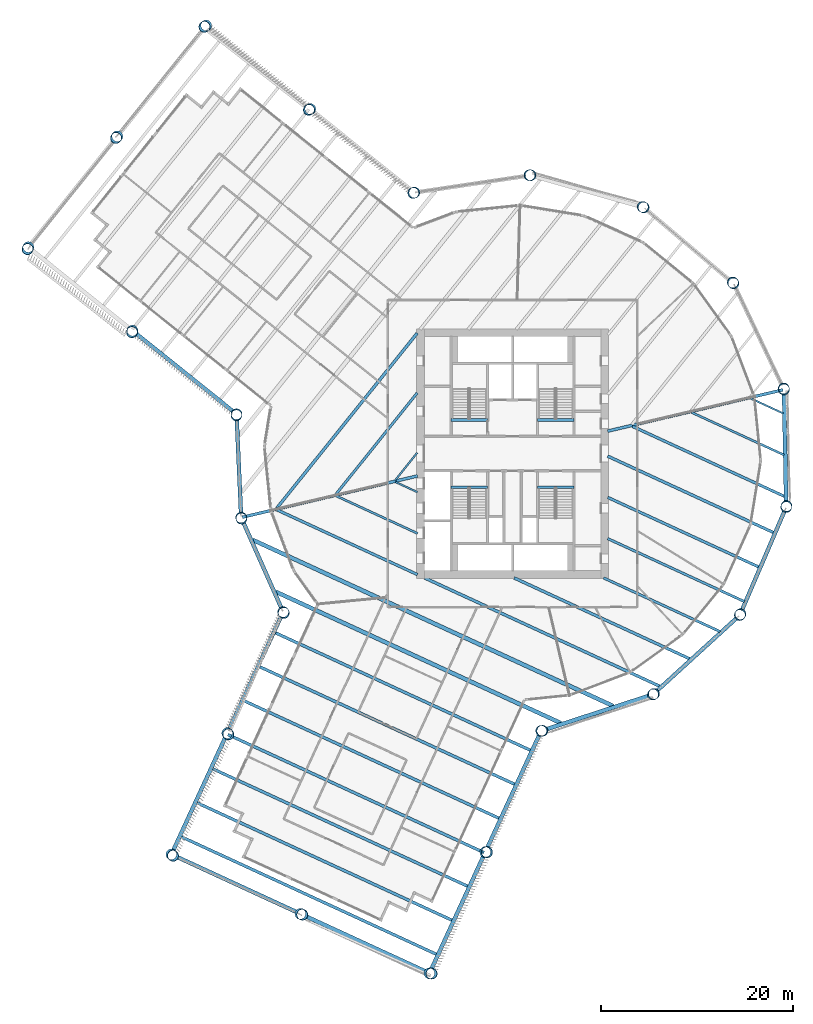
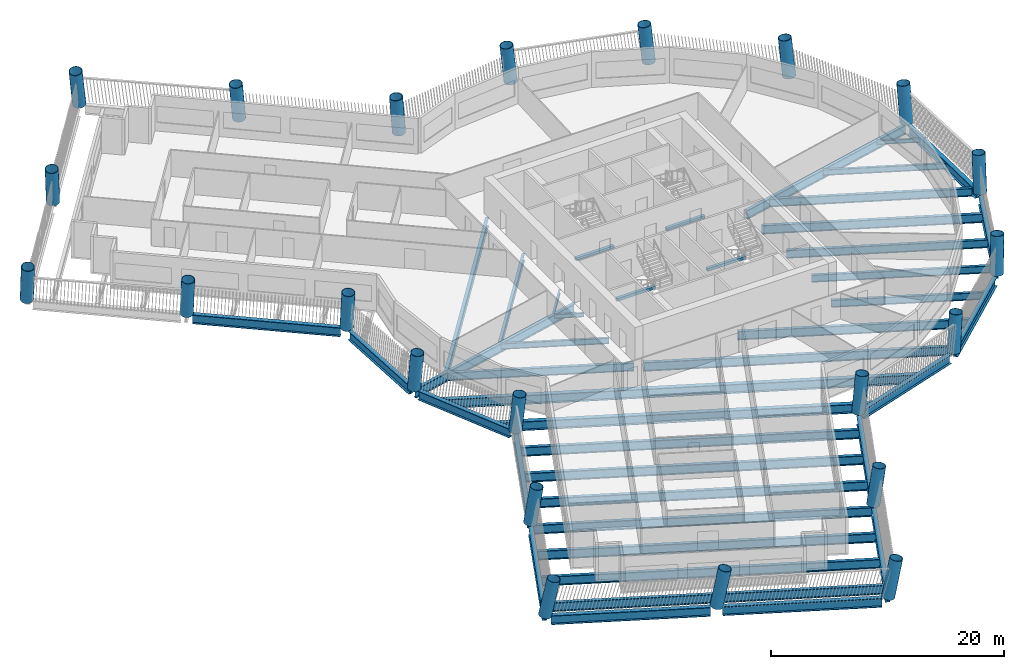
# One storey, part 1 of 16: 43 beams, 22 columns.
"""IFC4 building model written with IfcOpenShell, lengths in metres."""

import ifcopenshell
import ifcopenshell.guid

model = None  # the IFC model being written
_history = None  # IfcOwnerHistory: only IFC2X3 demands one
_inside = {}  # id of a spatial element -> (the spatial element, [elements in it])
_under = {}  # id of a project, library or spatial element -> (it, [spatial elements below it])
_declared = {}  # id of a project -> (the project, [libraries it declares])
_typed = {}  # id of a type object -> (the type object, [elements of that type])
_made_of = {}  # id of a material, layer set ... -> (it, [elements and type objects made of it])


def new_model(schema):
    """Start an empty IFC model of exactly this schema.

    Asked for "IFC4X3", IfcOpenShell would pick the latest addendum, in which some entities
    have other attributes; the version numbers below select the first issue.
    IFC2X3 requires an IfcOwnerHistory on every rooted entity: one is made here for all.
    """
    global model, _history
    if schema == "IFC4X3":
        model = ifcopenshell.file(schema_version=(4, 3, 0, 0))
    else:
        model = ifcopenshell.file(schema=schema)
    _inside.clear()
    _under.clear()
    _declared.clear()
    _typed.clear()
    _made_of.clear()
    _history = None
    if model.schema == "IFC2X3":
        org = make("IfcOrganization", Name="unknown")
        user = make(
            "IfcPersonAndOrganization",
            ThePerson=make("IfcPerson", FamilyName="unknown"),
            TheOrganization=org,
        )
        app = make(
            "IfcApplication",
            ApplicationDeveloper=org,
            Version="unknown",
            ApplicationFullName="unknown",
            ApplicationIdentifier="unknown",
        )
        _history = make(
            "IfcOwnerHistory",
            OwningUser=user,
            OwningApplication=app,
            ChangeAction="ADDED",
            CreationDate=0,
        )
    return model


def make(cls, **values):
    """One entity of the class cls with the attributes given. An attribute that is None is left unset."""
    return model.create_entity(
        cls, **{name: value for name, value in values.items() if value is not None}
    )


def rooted(cls, **values):
    """An entity with a GlobalId (a new one), such as an element, a storey or a relation."""
    return make(cls, GlobalId=ifcopenshell.guid.new(), OwnerHistory=_history, **values)


def si_unit(unit_type, name, prefix=None):
    """IfcSIUnit, for example si_unit("LENGTHUNIT", "METRE", prefix="MILLI")."""
    return make("IfcSIUnit", UnitType=unit_type, Prefix=prefix, Name=name)


def assignment(units):
    """IfcUnitAssignment: the units of a project."""
    return None if units is None else make("IfcUnitAssignment", Units=units)


def point(xyz):
    """IfcCartesianPoint."""
    return None if xyz is None else make("IfcCartesianPoint", Coordinates=xyz)


def direction(xyz):
    """IfcDirection."""
    return None if xyz is None else make("IfcDirection", DirectionRatios=xyz)


def frame(location, z_axis=None, x_axis=None):
    """IfcAxis2Placement3D, a coordinate frame: its origin and axes. An axis left out is left unset."""
    return make(
        "IfcAxis2Placement3D",
        Location=point(location),
        Axis=direction(z_axis),
        RefDirection=direction(x_axis),
    )


def frame_2d(location, x_axis=None):
    """IfcAxis2Placement2D, a coordinate frame in the plane: its origin and x axis."""
    return make(
        "IfcAxis2Placement2D", Location=point(location), RefDirection=direction(x_axis)
    )


def origin():
    """The frame at (0, 0, 0) with its axes left unset."""
    return frame((0.0, 0.0, 0.0))


def origin_2d():
    """The frame at (0, 0) in the plane with its x axis left unset."""
    return frame_2d((0.0, 0.0))


def place(relative_to, where):
    """IfcLocalPlacement: puts the frame where relative to a parent placement (None: the world)."""
    return make(
        "IfcLocalPlacement", PlacementRelTo=relative_to, RelativePlacement=where
    )


def context(
    kind, dimensions, precision=None, world=None, true_north=None, identifier=None
):
    """IfcGeometricRepresentationContext, for example the 3D "Model" context."""
    return make(
        "IfcGeometricRepresentationContext",
        ContextIdentifier=identifier,
        ContextType=kind,
        CoordinateSpaceDimension=dimensions,
        Precision=precision,
        WorldCoordinateSystem=world,
        TrueNorth=true_north,
    )


def subcontext(parent, identifier, kind, view, scale=None):
    """IfcGeometricRepresentationSubContext, for example "Body" below "Model"."""
    return make(
        "IfcGeometricRepresentationSubContext",
        ContextIdentifier=identifier,
        ContextType=kind,
        ParentContext=parent,
        TargetScale=scale,
        TargetView=view,
    )


def project(units=None, contexts=None):
    """IfcProject with its units and contexts."""
    return rooted(
        "IfcProject",
        Name="project",
        RepresentationContexts=contexts,
        UnitsInContext=assignment(units),
    )


def spatial(cls, under=None, at=None, **own):
    """A site, building, storey or space (cls), placed at a placement, below another one or the project."""
    s = rooted(cls, ObjectPlacement=at, **own)
    if under is not None:
        _under.setdefault(under.id(), (under, []))[1].append(s)
    return s


def profile(cls, at=None, kind="AREA", **sizes):
    """A parametric profile (cls). Its sizes go by their IFC names, for example OverallWidth=200.0."""
    return make(cls, ProfileType=kind, Position=at, **sizes)


def rectangle(**sizes):
    """IfcRectangleProfileDef."""
    return profile("IfcRectangleProfileDef", **sizes)


def hollow_circle(**sizes):
    """IfcCircleHollowProfileDef."""
    return profile("IfcCircleHollowProfileDef", **sizes)


def i_section(**sizes):
    """IfcIShapeProfileDef."""
    return profile("IfcIShapeProfileDef", **sizes)


def extrude(swept, where, along, depth):
    """IfcExtrudedAreaSolid: the profile swept, set in the frame where, extruded along a direction by depth."""
    return make(
        "IfcExtrudedAreaSolid",
        SweptArea=swept,
        Position=where,
        ExtrudedDirection=direction(along),
        Depth=depth,
    )


def shape(context_of_items, identifier, shape_type, items):
    """IfcShapeRepresentation: the items that make up one representation, for example the "Body"."""
    return make(
        "IfcShapeRepresentation",
        ContextOfItems=context_of_items,
        RepresentationIdentifier=identifier,
        RepresentationType=shape_type,
        Items=items,
    )


def material(Name=None, Category=None):
    """IfcMaterial."""
    return make("IfcMaterial", Name=Name, Category=Category)


def material_profile(
    of_material, cross_section, Name=None, Category=None, Priority=None
):
    """IfcMaterialProfile: a cross section and its material."""
    return make(
        "IfcMaterialProfile",
        Name=Name,
        Material=of_material,
        Profile=cross_section,
        Priority=Priority,
        Category=Category,
    )


def profile_set(profiles, Name=None, composite=None):
    """IfcMaterialProfileSet."""
    return make(
        "IfcMaterialProfileSet",
        Name=Name,
        MaterialProfiles=profiles,
        CompositeProfile=composite,
    )


def made_of(thing, what):
    """Note that an element or type object is made of a material, layer set ...; save() writes the relation."""
    if what is not None:
        _made_of.setdefault(what.id(), (what, []))[1].append(thing)
    return thing


def type_object(cls, material=None, **own):
    """A type object (cls), such as IfcWallType, which elements share."""
    return made_of(rooted(cls, **own), material)


def element(
    cls,
    number,
    at=None,
    inside=None,
    cuts=None,
    type_object=None,
    material=None,
    context=None,
    identifier="Body",
    shape_type=None,
    held_by="IfcProductDefinitionShape",
    body=None,
    shapes=None,
    **own,
):
    """One element of the class cls, such as IfcWall. Its Tag is "e" and its number.

    at: its placement. inside: the storey or other place that contains it. cuts: it is an
    opening in that element (IfcRelVoidsElement). A single representation is given by context,
    identifier, shape_type and body (its items); several are given by shapes. held_by: the class
    of the entity that holds the representations. save() writes the other relations.
    """
    e = rooted(cls, Tag="e%d" % number, ObjectPlacement=at, **own)
    if body is not None:
        shapes = [shape(context, identifier, shape_type, body)]
    if shapes is not None:
        e.Representation = make(held_by, Representations=shapes)
    if inside is not None:
        _inside.setdefault(inside.id(), (inside, []))[1].append(e)
    if cuts is not None:
        rooted(
            "IfcRelVoidsElement", RelatingBuildingElement=cuts, RelatedOpeningElement=e
        )
    if type_object is not None:
        _typed.setdefault(type_object.id(), (type_object, []))[1].append(e)
    return made_of(e, material)


def aggregate(whole, parts):
    """IfcRelAggregates: a whole, such as a stair, and the parts it consists of."""
    return rooted("IfcRelAggregates", RelatingObject=whole, RelatedObjects=parts)


def save(model, path):
    """Write the relations noted so far, then the file.

    IfcRelAggregates (storeys below a building ...), IfcRelContainedInSpatialStructure (elements
    in a storey), IfcRelDefinesByType, IfcRelAssociatesMaterial and IfcRelDeclares: one each for
    every whole, place, type object, material and project.
    """
    for whole, parts in _under.values():
        aggregate(whole, parts)
    for where, things in _inside.values():
        rooted(
            "IfcRelContainedInSpatialStructure",
            RelatedElements=things,
            RelatingStructure=where,
        )
    for kind, things in _typed.values():
        rooted("IfcRelDefinesByType", RelatedObjects=things, RelatingType=kind)
    for what, things in _made_of.values():
        rooted("IfcRelAssociatesMaterial", RelatedObjects=things, RelatingMaterial=what)
    for by, libraries in _declared.values():
        rooted("IfcRelDeclares", RelatingContext=by, RelatedDefinitions=libraries)
    model.write(path)


model = new_model("IFC4")

# Units and contexts
model_context = context("Model", 3, precision=1e-05, world=origin(), true_north=direction((0.0, 1.0)))
body_context = subcontext(model_context, "Body", "Model", "MODEL_VIEW")
ifc_project = project(units=[si_unit("LENGTHUNIT", "METRE"), si_unit("AREAUNIT", "SQUARE_METRE"), si_unit("VOLUMEUNIT", "CUBIC_METRE"), si_unit("PLANEANGLEUNIT", "RADIAN"), si_unit("MASSUNIT", "GRAM", prefix="KILO")], contexts=[model_context])

# Site, building, storey
site_placement = place(None, origin())
site = spatial("IfcSite", under=ifc_project, at=site_placement, CompositionType="ELEMENT")
building_placement = place(site_placement, origin())
building = spatial("IfcBuilding", under=site, at=building_placement, Name="Tarsis Ring Headquarters", CompositionType="ELEMENT")
storey_placement = place(building_placement, frame((0.0, 0.0, 112.300048828125)))
storey = spatial("IfcBuildingStorey", under=building, at=storey_placement, Name="L25", CompositionType="ELEMENT", Elevation=112.300048828125)

# Columns
ifc_material_1 = material(Name="Structural steel S355", Category="steel")
ifc_material_profile_1 = material_profile(ifc_material_1, hollow_circle(Radius=0.584228515625, WallThickness=0.044921875, at=origin_2d()), Name="CHS 1168x45")
ifc_profile_set_1 = profile_set([ifc_material_profile_1], Name="Structural steel S355")
column_type = type_object("IfcColumnType", Name="XC Exo column CHS 1168x45", PredefinedType="COLUMN", material=ifc_profile_set_1)
for number, where, z_axis, x_axis, name in (
    (1, (-28.27392578125, -6.662841796875, 0.000732421875), (0.023800718957, -0.098068930992, 0.994894974634), (0.971790101107, 0.235847407003, 0.0), "Exo column XC3 F1"),
    (2, (-23.902099609375, -16.507568359375, 0.000732421875), (0.057882087194, -0.082617489364, 0.994898997101), (0.818999717672, 0.573793919847, 0.0), "Exo column XC3 AK"),
):
    element("IfcColumn", number, at=place(storey_placement, frame(where, z_axis=z_axis, x_axis=x_axis)), inside=storey, type_object=column_type, Name=name, PredefinedType="COLUMN", context=body_context, shape_type="SweptSolid", body=[
        extrude(hollow_circle(Radius=0.584228515625, WallThickness=0.044921875, at=origin_2d()), origin(), (0.0, 0.0, 1.0), 3.91845703125),
    ])
column_1_placement = place(storey_placement, frame((-29.72021484375, -29.1337890625, 0.0009765625), z_axis=(0.10134078466, -0.102022588104, 0.989606708183), x_axis=(0.709473465823, 0.704732148616, 0.0)))
element("IfcColumn", 3, at=column_1_placement, inside=storey, type_object=column_type, Name="Exo column XC3 AI1", PredefinedType="COLUMN", context=body_context, shape_type="SweptSolid", body=[
    extrude(hollow_circle(Radius=0.584228515625, WallThickness=0.044921875, at=origin_2d()), origin(), (0.0, 0.0, 1.0), 3.93896484375),
])
column_2_placement = place(storey_placement, frame((-35.538330078125, -41.76025390625, 0.001220703125), z_axis=(0.144027624068, -0.12083308572, 0.982168727307), x_axis=(0.64272380487, 0.766097977189, 0.0)))
element("IfcColumn", 4, at=column_2_placement, inside=storey, type_object=column_type, Name="Exo column XC3 AT1", PredefinedType="COLUMN", context=body_context, shape_type="SweptSolid", body=[
    extrude(hollow_circle(Radius=0.584228515625, WallThickness=0.044921875, at=origin_2d()), origin(), (0.0, 0.0, 1.0), 3.96826171875),
])
column_3_placement = place(storey_placement, frame((-22.0966796875, -47.953857421875, 0.001220703125), z_axis=(0.165157979258, -0.074724591138, 0.983432294246), x_axis=(0.412214885912, 0.911086652209, 0.0)))
element("IfcColumn", 5, at=column_3_placement, inside=storey, type_object=column_type, Name="Exo column XC3 AT2", PredefinedType="COLUMN", context=body_context, shape_type="SweptSolid", body=[
    extrude(hollow_circle(Radius=0.584228515625, WallThickness=0.044921875, at=origin_2d()), origin(), (0.0, 0.0, 1.0), 3.963134765625),
])
column_4_placement = place(storey_placement, frame((-8.655029296875, -54.147705078125, 0.001220703125), z_axis=(0.185863114789, -0.028423952013, 0.982164437105), x_axis=(0.151171948587, 0.988507481995, 0.0)))
element("IfcColumn", 6, at=column_4_placement, inside=storey, type_object=column_type, Name="Exo column XC3 AT3", PredefinedType="COLUMN", context=body_context, shape_type="SweptSolid", body=[
    extrude(hollow_circle(Radius=0.584228515625, WallThickness=0.044921875, at=origin_2d()), origin(), (0.0, 0.0, 1.0), 3.96826171875),
])
column_5_placement = place(storey_placement, frame((-2.8369140625, -41.521484375, 0.0009765625), z_axis=(0.143489502719, -0.008801515934, 0.989612699962), x_axis=(0.061224023793, 0.998124049861, 0.0)))
element("IfcColumn", 7, at=column_5_placement, inside=storey, type_object=column_type, Name="Exo column XC3 AO1", PredefinedType="COLUMN", context=body_context, shape_type="SweptSolid", body=[
    extrude(hollow_circle(Radius=0.584228515625, WallThickness=0.044921875, at=origin_2d()), origin(), (0.0, 0.0, 1.0), 3.93896484375),
])
for number, where, z_axis, x_axis, name in (
    (8, (2.98095703125, -28.895263671875, 0.000732421875), (0.100311855917, 0.011090379101, 0.994894233099), (-0.109889440609, 0.993943816744, 0.0), "Exo column XC3 AJ"),
    (9, (14.626220703125, -25.09765625, 0.000732421875), (0.086853854814, 0.051402030288, 0.994894084406), (-0.50931156322, 0.860582205004, 0.0), "Exo column XC3 R1"),
    (10, (23.6708984375, -16.83740234375, 0.000732421875), (0.057944482069, 0.082555310475, 0.99490052654), (-0.818505731091, 0.5744983622, 0.0), "Exo column XC3 R2"),
    (11, (28.5068359375, -5.583740234375, 0.000732421875), (0.018691740981, 0.099128533003, 0.994899066621), (-0.982682879725, 0.185295326158, 0.0), "Exo column XC3 R3"),
    (12, (28.27392578125, 6.662841796875, 0.000732421875), (-0.023800718957, 0.098068930992, 0.994894974634), (-0.971790101107, -0.235847407003, 0.0), "Exo column XC3 R4"),
    (13, (23.013916015625, 17.724853515625, 0.000732421875), (-0.06205671123, 0.079502373022, 0.994901169602), (-0.78828654941, -0.615308309727, 0.0), "Exo column XC3 R5"),
    (14, (13.662109375, 25.63525390625, 0.000732421875), (-0.089346421478, 0.046853911403, 0.994897948513), (-0.464422328585, -0.885613855307, 0.0), "Exo column XC3 R6"),
    (15, (1.880859375, 28.987548828125, 0.000732421875), (-0.100748045069, 0.005856719998, 0.994894733249), (-0.05803436677, -0.998314585826, 0.0), "Exo column XC3 R7"),
    (16, (-10.23486328125, 27.185791015625, 0.000732421875), (-0.0941441782, -0.036199713788, 0.994900223355), (0.358896290456, -0.933377443855, 0.0), "Exo column XC3 BJ"),
):
    element("IfcColumn", number, at=place(storey_placement, frame(where, z_axis=z_axis, x_axis=x_axis)), inside=storey, type_object=column_type, Name=name, PredefinedType="COLUMN", context=body_context, shape_type="SweptSolid", body=[
        extrude(hollow_circle(Radius=0.584228515625, WallThickness=0.044921875, at=origin_2d()), origin(), (0.0, 0.0, 1.0), 3.91845703125),
    ])
column_6_placement = place(storey_placement, frame((-21.07861328125, 35.885498046875, 0.0009765625), z_axis=(-0.123408110285, -0.073635778513, 0.989620235463), x_axis=(0.512401080946, -0.85874625603, 0.0)))
element("IfcColumn", 17, at=column_6_placement, inside=storey, type_object=column_type, Name="Exo column XC3 BO1", PredefinedType="COLUMN", context=body_context, shape_type="SweptSolid", body=[
    extrude(hollow_circle(Radius=0.584228515625, WallThickness=0.044921875, at=origin_2d()), origin(), (0.0, 0.0, 1.0), 3.938720703125),
])
column_7_placement = place(storey_placement, frame((-31.922119140625, 44.58544921875, 0.001220703125), z_axis=(-0.15214770368, -0.11049627004, 0.982161723227), x_axis=(0.587626843053, -0.809132061732, 0.0)))
element("IfcColumn", 18, at=column_7_placement, inside=storey, type_object=column_type, Name="Exo column XC3 BT3", PredefinedType="COLUMN", context=body_context, shape_type="SweptSolid", body=[
    extrude(hollow_circle(Radius=0.584228515625, WallThickness=0.044921875, at=origin_2d()), origin(), (0.0, 0.0, 1.0), 3.96826171875),
])
column_8_placement = place(storey_placement, frame((-41.183837890625, 33.04150390625, 0.001220703125), z_axis=(-0.112426053964, -0.142180456191, 0.983435356425), x_axis=(0.784404055316, -0.620250173723, 0.0)))
element("IfcColumn", 19, at=column_8_placement, inside=storey, type_object=column_type, Name="Exo column XC3 BT2", PredefinedType="COLUMN", context=body_context, shape_type="SweptSolid", body=[
    extrude(hollow_circle(Radius=0.584228515625, WallThickness=0.044921875, at=origin_2d()), origin(), (0.0, 0.0, 1.0), 3.963134765625),
])
column_9_placement = place(storey_placement, frame((-50.4453125, 21.497314453125, 0.001220703125), z_axis=(-0.072536872211, -0.173436338222, 0.982170167921), x_axis=(0.922562932826, -0.385846646968, 0.0)))
element("IfcColumn", 20, at=column_9_placement, inside=storey, type_object=column_type, Name="Exo column XC3 BT1", PredefinedType="COLUMN", context=body_context, shape_type="SweptSolid", body=[
    extrude(hollow_circle(Radius=0.584228515625, WallThickness=0.044921875, at=origin_2d()), origin(), (0.0, 0.0, 1.0), 3.96826171875),
])
column_10_placement = place(storey_placement, frame((-39.601806640625, 12.797607421875, 0.0009765625), z_axis=(-0.043263726511, -0.137105104646, 0.989611257135), x_axis=(0.953647800195, -0.300925029175, 0.0)))
element("IfcColumn", 21, at=column_10_placement, inside=storey, type_object=column_type, Name="Exo column XC3 BI1", PredefinedType="COLUMN", context=body_context, shape_type="SweptSolid", body=[
    extrude(hollow_circle(Radius=0.584228515625, WallThickness=0.044921875, at=origin_2d()), origin(), (0.0, 0.0, 1.0), 3.93896484375),
])
column_11_placement = place(storey_placement, frame((-28.758056640625, 4.097900390625, 0.000732421875), z_axis=(-0.01352039542, -0.099938775365, 0.994901723833), x_axis=(0.990972475664, -0.134065478316, 0.0)))
element("IfcColumn", 22, at=column_11_placement, inside=storey, type_object=column_type, Name="Exo column XC3 BK", PredefinedType="COLUMN", context=body_context, shape_type="SweptSolid", body=[
    extrude(hollow_circle(Radius=0.584228515625, WallThickness=0.044921875, at=origin_2d()), origin(), (0.0, 0.0, 1.0), 3.91845703125),
])

# Beams
ifc_material_profile_2 = material_profile(ifc_material_1, i_section(OverallWidth=0.177734375, OverallDepth=0.406494140625, WebThickness=0.0078125, FlangeThickness=0.0126953125, at=origin_2d()), Name="W16x40")
ifc_profile_set_2 = profile_set([ifc_material_profile_2], Name="Structural steel S355")
beam_type_1 = type_object("IfcBeamType", Name="FB Floor beam W16x40", PredefinedType="JOIST", material=ifc_profile_set_2)
beam_1_placement = place(storey_placement, frame((24.80078125, 5.74853515625, -0.36328125), z_axis=(0.908211307068, -0.418511913466, 0.0), x_axis=(0.418511913466, 0.908211307068, 0.0)))
element("IfcBeam", 23, at=beam_1_placement, inside=storey, type_object=beam_type_1, Name="Floor beam FB1", PredefinedType="JOIST", context=body_context, shape_type="SweptSolid", body=[
    extrude(i_section(OverallWidth=0.177734375, OverallDepth=0.406494140625, WebThickness=0.0078125, FlangeThickness=0.0126953125, at=origin_2d()), origin(), (0.0, 0.0, 1.0), 3.74169921875),
])
beam_2_placement = place(storey_placement, frame((-12.19384765625, -2.969482421875, -0.36328125), z_axis=(0.908220540491, -0.418491875465, 0.0), x_axis=(0.418491875465, 0.908220540491, 0.0)))
element("IfcBeam", 24, at=beam_2_placement, inside=storey, type_object=beam_type_1, Name="Floor beam FB1", PredefinedType="JOIST", context=body_context, shape_type="SweptSolid", body=[
    extrude(i_section(OverallWidth=0.177734375, OverallDepth=0.406494140625, WebThickness=0.0078125, FlangeThickness=0.0126953125, at=origin_2d()), origin(), (0.0, 0.0, 1.0), 2.515625),
])
beam_3_placement = place(storey_placement, frame((-9.9375, 0.078125, -0.36328125), z_axis=(-0.625772260794, -0.780005818966, 0.0), x_axis=(0.780005818966, -0.625772260794, 0.0)))
element("IfcBeam", 25, at=beam_3_placement, inside=storey, type_object=beam_type_1, Name="Floor beam FB1", PredefinedType="JOIST", context=body_context, shape_type="SweptSolid", body=[
    extrude(i_section(OverallWidth=0.177734375, OverallDepth=0.406494140625, WebThickness=0.0078125, FlangeThickness=0.0126953125, at=origin_2d()), origin(), (0.0, 0.0, 1.0), 3.674072265625),
])
ifc_material_profile_3 = material_profile(ifc_material_1, i_section(OverallWidth=0.228271484375, OverallDepth=0.607177734375, WebThickness=0.01123046875, FlangeThickness=0.017333984375, at=origin_2d()), Name="W24x76")
ifc_profile_set_3 = profile_set([ifc_material_profile_3], Name="Structural steel S355")
beam_type_2 = type_object("IfcBeamType", Name="FB Floor beam W24x76", PredefinedType="JOIST", material=ifc_profile_set_3)
beam_4_placement = place(storey_placement, frame((18.635009765625, 4.29541015625, -0.463623046875), z_axis=(0.908224271108, -0.4184837791, 0.0), x_axis=(0.4184837791, 0.908224271108, 0.0)))
element("IfcBeam", 26, at=beam_4_placement, inside=storey, type_object=beam_type_2, Name="Floor beam FB4", PredefinedType="JOIST", context=body_context, shape_type="SweptSolid", body=[
    extrude(i_section(OverallWidth=0.228271484375, OverallDepth=0.607177734375, WebThickness=0.01123046875, FlangeThickness=0.017333984375, at=origin_2d()), origin(), (0.0, 0.0, 1.0), 10.621337890625),
])
beam_5_placement = place(storey_placement, frame((-18.359619140625, -4.42236328125, -0.463623046875), z_axis=(0.908211115038, -0.41851233019, 0.0), x_axis=(0.41851233019, 0.908211115038, 0.0)))
element("IfcBeam", 27, at=beam_5_placement, inside=storey, type_object=beam_type_2, Name="Floor beam FB4", PredefinedType="JOIST", context=body_context, shape_type="SweptSolid", body=[
    extrude(i_section(OverallWidth=0.228271484375, OverallDepth=0.607177734375, WebThickness=0.01123046875, FlangeThickness=0.017333984375, at=origin_2d()), origin(), (0.0, 0.0, 1.0), 9.304443359375),
])
ifc_material_profile_4 = material_profile(ifc_material_1, i_section(OverallWidth=0.2666015625, OverallDepth=0.7568359375, WebThickness=0.013916015625, FlangeThickness=0.019287109375, at=origin_2d()), Name="W30x108")
ifc_profile_set_4 = profile_set([ifc_material_profile_4], Name="Structural steel S355")
beam_type_3 = type_object("IfcBeamType", Name="FB Floor beam W30x108", PredefinedType="JOIST", material=ifc_profile_set_4)
beam_6_placement = place(storey_placement, frame((9.9091796875, -8.860107421875, -0.53857421875), z_axis=(0.908211581627, -0.418511317647, 0.0), x_axis=(0.418511317647, 0.908211581627, 0.0)))
element("IfcBeam", 28, at=beam_6_placement, inside=storey, type_object=beam_type_3, Name="Floor beam FB6", PredefinedType="JOIST", context=body_context, shape_type="SweptSolid", body=[
    extrude(i_section(OverallWidth=0.2666015625, OverallDepth=0.7568359375, WebThickness=0.013916015625, FlangeThickness=0.019287109375, at=origin_2d()), origin(), (0.0, 0.0, 1.0), 15.6865234375),
])
beam_7_placement = place(storey_placement, frame((9.4833984375, -12.958251953125, -0.53857421875), z_axis=(0.908218591583, -0.418496105002, 0.0), x_axis=(0.418496105002, 0.908218591583, 0.0)))
element("IfcBeam", 29, at=beam_7_placement, inside=storey, type_object=beam_type_3, Name="Floor beam FB6", PredefinedType="JOIST", context=body_context, shape_type="SweptSolid", body=[
    extrude(i_section(OverallWidth=0.2666015625, OverallDepth=0.7568359375, WebThickness=0.013916015625, FlangeThickness=0.019287109375, at=origin_2d()), origin(), (0.0, 0.0, 1.0), 13.361083984375),
])
beam_8_placement = place(storey_placement, frame((-9.9375, 6.310302734375, -0.53857421875), z_axis=(-0.625777356434, -0.780001730879, 0.0), x_axis=(0.780001730879, -0.625777356434, 0.0)))
element("IfcBeam", 30, at=beam_8_placement, inside=storey, type_object=beam_type_3, Name="Floor beam FB6", PredefinedType="JOIST", context=body_context, shape_type="SweptSolid", body=[
    extrude(i_section(OverallWidth=0.2666015625, OverallDepth=0.7568359375, WebThickness=0.013916015625, FlangeThickness=0.019287109375, at=origin_2d()), origin(), (0.0, 0.0, 1.0), 13.52685546875),
])
ifc_material_profile_5 = material_profile(ifc_material_1, i_section(OverallWidth=0.2919921875, OverallDepth=0.835693359375, WebThickness=0.013916015625, FlangeThickness=0.018798828125, at=origin_2d()), Name="W33x118")
ifc_profile_set_5 = profile_set([ifc_material_profile_5], Name="Structural steel S355")
beam_type_4 = type_object("IfcBeamType", Name="FB Floor beam W33x118", PredefinedType="JOIST", material=ifc_profile_set_5)
beam_9_placement = place(storey_placement, frame((12.46923828125, 2.842529296875, -0.577880859375), z_axis=(0.908213995028, -0.418506080285, 0.0), x_axis=(0.418506080285, 0.908213995028, 0.0)))
element("IfcBeam", 31, at=beam_9_placement, inside=storey, type_object=beam_type_4, Name="Floor beam FB7", PredefinedType="JOIST", context=body_context, shape_type="SweptSolid", body=[
    extrude(i_section(OverallWidth=0.2919921875, OverallDepth=0.835693359375, WebThickness=0.013916015625, FlangeThickness=0.018798828125, at=origin_2d()), origin(), (0.0, 0.0, 1.0), 17.5009765625),
])
beam_10_placement = place(storey_placement, frame((9.9091796875, -4.566162109375, -0.577880859375), z_axis=(0.908218194721, -0.41849696627, 0.0), x_axis=(0.41849696627, 0.908218194721, 0.0)))
element("IfcBeam", 32, at=beam_10_placement, inside=storey, type_object=beam_type_4, Name="Floor beam FB7", PredefinedType="JOIST", context=body_context, shape_type="SweptSolid", body=[
    extrude(i_section(OverallWidth=0.2919921875, OverallDepth=0.835693359375, WebThickness=0.013916015625, FlangeThickness=0.018798828125, at=origin_2d()), origin(), (0.0, 0.0, 1.0), 17.38232421875),
])
beam_11_placement = place(storey_placement, frame((-24.525390625, -5.87548828125, -0.577880859375), z_axis=(0.908221173901, -0.418490500822, 0.0), x_axis=(0.418490500822, 0.908221173901, 0.0)))
element("IfcBeam", 33, at=beam_11_placement, inside=storey, type_object=beam_type_4, Name="Floor beam FB7", PredefinedType="JOIST", context=body_context, shape_type="SweptSolid", body=[
    extrude(i_section(OverallWidth=0.2919921875, OverallDepth=0.835693359375, WebThickness=0.013916015625, FlangeThickness=0.018798828125, at=origin_2d()), origin(), (0.0, 0.0, 1.0), 16.09326171875),
])
ifc_material_profile_6 = material_profile(ifc_material_1, i_section(OverallWidth=0.3046875, OverallDepth=0.904296875, WebThickness=0.01513671875, FlangeThickness=0.02001953125, at=origin_2d()), Name="W36x135")
ifc_profile_set_6 = profile_set([ifc_material_profile_6], Name="Structural steel S355")
beam_type_5 = type_object("IfcBeamType", Name="FB Floor beam W36x135", PredefinedType="JOIST", material=ifc_profile_set_6)
beam_12_placement = place(storey_placement, frame((9.9091796875, -0.27197265625, -0.612060546875), z_axis=(0.90821390418, -0.418506277437, 0.0), x_axis=(0.418506277437, 0.90821390418, 0.0)))
element("IfcBeam", 34, at=beam_12_placement, inside=storey, type_object=beam_type_5, Name="Floor beam FB8", PredefinedType="JOIST", context=body_context, shape_type="SweptSolid", body=[
    extrude(i_section(OverallWidth=0.3046875, OverallDepth=0.904296875, WebThickness=0.01513671875, FlangeThickness=0.02001953125, at=origin_2d()), origin(), (0.0, 0.0, 1.0), 19.078369140625),
])
beam_13_placement = place(storey_placement, frame((0.164306640625, -12.958251953125, -0.612060546875), z_axis=(0.908219456556, -0.418494227837, 0.0), x_axis=(0.418494227837, 0.908219456556, 0.0)))
element("IfcBeam", 35, at=beam_13_placement, inside=storey, type_object=beam_type_5, Name="Floor beam FB8", PredefinedType="JOIST", context=body_context, shape_type="SweptSolid", body=[
    extrude(i_section(OverallWidth=0.3046875, OverallDepth=0.904296875, WebThickness=0.01513671875, FlangeThickness=0.02001953125, at=origin_2d()), origin(), (0.0, 0.0, 1.0), 20.180908203125),
])
ifc_material_profile_7 = material_profile(ifc_material_1, i_section(OverallWidth=0.3046875, OverallDepth=0.91943359375, WebThickness=0.017333984375, FlangeThickness=0.02783203125, at=origin_2d()), Name="W36x170")
ifc_profile_set_7 = profile_set([ifc_material_profile_7], Name="Structural steel S355")
beam_type_6 = type_object("IfcBeamType", Name="FB Floor beam W36x170", PredefinedType="JOIST", material=ifc_profile_set_7)
beam_14_placement = place(storey_placement, frame((-9.9375, 12.54248046875, -0.619873046875), z_axis=(-0.625783254189, -0.77999699921, 0.0), x_axis=(0.77999699921, -0.625783254189, 0.0)))
element("IfcBeam", 36, at=beam_14_placement, inside=storey, type_object=beam_type_6, Name="Floor beam FB9", PredefinedType="JOIST", context=body_context, shape_type="SweptSolid", body=[
    extrude(i_section(OverallWidth=0.3046875, OverallDepth=0.91943359375, WebThickness=0.017333984375, FlangeThickness=0.02783203125, at=origin_2d()), origin(), (0.0, 0.0, 1.0), 23.379638671875),
])
ifc_material_profile_8 = material_profile(ifc_material_1, i_section(OverallWidth=0.309814453125, OverallDepth=0.93212890625, WebThickness=0.02099609375, FlangeThickness=0.034423828125, at=origin_2d()), Name="W36x210")
ifc_profile_set_8 = profile_set([ifc_material_profile_8], Name="Structural steel S355")
beam_type_7 = type_object("IfcBeamType", Name="FB Floor beam W36x210", PredefinedType="JOIST", material=ifc_profile_set_8)
beam_15_placement = place(storey_placement, frame((-9.154541015625, -12.958251953125, -0.626220703125), z_axis=(0.908218300967, -0.418496735697, 0.0), x_axis=(0.418496735697, 0.908218300967, 0.0)))
element("IfcBeam", 37, at=beam_15_placement, inside=storey, type_object=beam_type_7, Name="Floor beam FB10", PredefinedType="JOIST", context=body_context, shape_type="SweptSolid", body=[
    extrude(i_section(OverallWidth=0.309814453125, OverallDepth=0.93212890625, WebThickness=0.02099609375, FlangeThickness=0.034423828125, at=origin_2d()), origin(), (0.0, 0.0, 1.0), 27.000244140625),
])
ifc_material_profile_9 = material_profile(ifc_material_1, i_section(OverallWidth=0.309814453125, OverallDepth=0.949951171875, WebThickness=0.0244140625, FlangeThickness=0.0439453125, at=origin_2d()), Name="W36x256")
ifc_profile_set_9 = profile_set([ifc_material_profile_9], Name="Structural steel S355")
beam_type_8 = type_object("IfcBeamType", Name="FB Floor beam W36x256", PredefinedType="JOIST", material=ifc_profile_set_9)
for number, where, z_axis, x_axis, name in (
    (38, (-24.764892578125, -18.6474609375, -0.635009765625), (0.908218268731, -0.418496805655, 0.0), (0.418496805655, 0.908218268731, 0.0), "Floor beam FB11"),
    (39, (-26.39697265625, -22.189453125, -0.635009765625), (0.908216813142, -0.418499964547, 0.0), (0.418499964547, 0.908216813142, 0.0), "Floor beam FB11"),
):
    element("IfcBeam", number, at=place(storey_placement, frame(where, z_axis=z_axis, x_axis=x_axis)), inside=storey, type_object=beam_type_8, Name=name, PredefinedType="JOIST", context=body_context, shape_type="SweptSolid", body=[
        extrude(i_section(OverallWidth=0.309814453125, OverallDepth=0.949951171875, WebThickness=0.0244140625, FlangeThickness=0.0439453125, at=origin_2d()), origin(), (0.0, 0.0, 1.0), 29.375732421875),
    ])
for number, where, z_axis, x_axis, name in (
    (40, (-28.029296875, -25.7314453125, -0.635009765625), (0.908215109845, -0.418503660975, 0.0), (0.418503660975, 0.908215109845, 0.0), "Floor beam FB11"),
    (41, (-29.661376953125, -29.2734375, -0.635009765625), (0.908215109845, -0.418503660975, 0.0), (0.418503660975, 0.908215109845, 0.0), "Floor beam FB11"),
):
    element("IfcBeam", number, at=place(storey_placement, frame(where, z_axis=z_axis, x_axis=x_axis)), inside=storey, type_object=beam_type_8, Name=name, PredefinedType="JOIST", context=body_context, shape_type="SweptSolid", body=[
        extrude(i_section(OverallWidth=0.309814453125, OverallDepth=0.949951171875, WebThickness=0.0244140625, FlangeThickness=0.0439453125, at=origin_2d()), origin(), (0.0, 0.0, 1.0), 29.3759765625),
    ])
for number, where, z_axis, x_axis, name in (
    (42, (-31.29345703125, -32.815673828125, -0.635009765625), (0.908216813142, -0.418499964547, 0.0), (0.418499964547, 0.908216813142, 0.0), "Floor beam FB11"),
    (43, (-32.925537109375, -36.357666015625, -0.635009765625), (0.908216813142, -0.418499964547, 0.0), (0.418499964547, 0.908216813142, 0.0), "Floor beam FB11"),
    (44, (-34.557861328125, -39.899658203125, -0.635009765625), (0.908218268731, -0.418496805655, 0.0), (0.418496805655, 0.908218268731, 0.0), "Floor beam FB11"),
):
    element("IfcBeam", number, at=place(storey_placement, frame(where, z_axis=z_axis, x_axis=x_axis)), inside=storey, type_object=beam_type_8, Name=name, PredefinedType="JOIST", context=body_context, shape_type="SweptSolid", body=[
        extrude(i_section(OverallWidth=0.309814453125, OverallDepth=0.949951171875, WebThickness=0.0244140625, FlangeThickness=0.0439453125, at=origin_2d()), origin(), (0.0, 0.0, 1.0), 29.375732421875),
    ])
beam_type_9 = type_object("IfcBeamType", Name="FB Floor beam W36x256 spine", PredefinedType="BEAM", material=ifc_profile_set_9)
beam_16_placement = place(storey_placement, frame((-9.902587890625, -2.33349609375, -0.635009765625), z_axis=(-0.973339280285, -0.229370105842, 0.0), x_axis=(0.229370105842, -0.973339280285, 0.0)))
element("IfcBeam", 45, at=beam_16_placement, inside=storey, type_object=beam_type_9, Name="Floor beam SB11", PredefinedType="BEAM", context=body_context, shape_type="SweptSolid", body=[
    extrude(i_section(OverallWidth=0.309814453125, OverallDepth=0.949951171875, WebThickness=0.0244140625, FlangeThickness=0.0439453125, at=origin_2d()), origin(), (0.0, 0.0, 1.0), 18.759033203125),
])
beam_17_placement = place(storey_placement, frame((28.16015625, 6.635986328125, -0.635009765625), z_axis=(-0.973338762288, -0.22937230397, 0.0), x_axis=(0.22937230397, -0.973338762288, 0.0)))
element("IfcBeam", 46, at=beam_17_placement, inside=storey, type_object=beam_type_9, Name="Floor beam SB11", PredefinedType="BEAM", context=body_context, shape_type="SweptSolid", body=[
    extrude(i_section(OverallWidth=0.309814453125, OverallDepth=0.949951171875, WebThickness=0.0244140625, FlangeThickness=0.0439453125, at=origin_2d()), origin(), (0.0, 0.0, 1.0), 18.757568359375),
])
ifc_material_profile_10 = material_profile(ifc_material_1, i_section(OverallWidth=0.42431640625, OverallDepth=0.947509765625, WebThickness=0.02392578125, FlangeThickness=0.042724609375, at=origin_2d()), Name="W36x302")
ifc_profile_set_10 = profile_set([ifc_material_profile_10], Name="Structural steel S355")
beam_type_10 = type_object("IfcBeamType", Name="FB Floor beam W36x302", PredefinedType="JOIST", material=ifc_profile_set_10)
beam_18_placement = place(storey_placement, frame((-27.07958984375, -8.992431640625, -0.6337890625), z_axis=(0.908214779242, -0.418504378432, 0.0), x_axis=(0.418504378432, 0.908214779242, 0.0)))
element("IfcBeam", 47, at=beam_18_placement, inside=storey, type_object=beam_type_10, Name="Floor beam FB12", PredefinedType="JOIST", context=body_context, shape_type="SweptSolid", body=[
    extrude(i_section(OverallWidth=0.42431640625, OverallDepth=0.947509765625, WebThickness=0.02392578125, FlangeThickness=0.042724609375, at=origin_2d()), origin(), (0.0, 0.0, 1.0), 41.35302734375),
])
beam_19_placement = place(storey_placement, frame((-24.68212890625, -14.391357421875, -0.6337890625), z_axis=(0.908215282975, -0.418503285256, 0.0), x_axis=(0.418503285256, 0.908215282975, 0.0)))
element("IfcBeam", 48, at=beam_19_placement, inside=storey, type_object=beam_type_10, Name="Floor beam FB12", PredefinedType="JOIST", context=body_context, shape_type="SweptSolid", body=[
    extrude(i_section(OverallWidth=0.42431640625, OverallDepth=0.947509765625, WebThickness=0.02392578125, FlangeThickness=0.042724609375, at=origin_2d()), origin(), (0.0, 0.0, 1.0), 32.70458984375),
])
ifc_material_2 = material(Name="Concrete C40/50", Category="concrete")
ifc_material_profile_11 = material_profile(ifc_material_2, rectangle(XDim=0.300048828125, YDim=0.300048828125, at=origin_2d()), Name="Stair head beam 300x300 C40/50")
ifc_profile_set_11 = profile_set([ifc_material_profile_11], Name="Concrete C40/50")
beam_type_11 = type_object("IfcBeamType", Name="Stair head beam 300x300 C40/50", PredefinedType="BEAM", material=ifc_profile_set_11)
for number, where, z_axis, x_axis, name in (
    (49, (-6.39990234375, 3.510009765625, -0.31005859375), (1.0, 0.0, 0.0), (0.0, 1.0, 0.0), "Stair head beam L25 Firefighting stair"),
    (50, (2.60009765625, 3.510009765625, -0.31005859375), (1.0, 0.0, 0.0), (0.0, 1.0, 0.0), "Stair head beam L25 Exit stair B"),
    (51, (-6.39990234375, -3.510009765625, -0.31005859375), (1.0, 0.0, 0.0), (0.0, 1.0, 0.0), "Stair head beam L25 Exit stair C"),
    (52, (2.60009765625, -3.510009765625, -0.31005859375), (1.0, 0.0, 0.0), (0.0, 1.0, 0.0), "Stair head beam L25 Exit stair D"),
):
    element("IfcBeam", number, at=place(storey_placement, frame(where, z_axis=z_axis, x_axis=x_axis)), inside=storey, type_object=beam_type_11, Name=name, PredefinedType="BEAM", context=body_context, shape_type="SweptSolid", body=[
        extrude(rectangle(XDim=0.300048828125, YDim=0.300048828125, at=origin_2d()), origin(), (0.0, 0.0, 1.0), 3.7998046875),
    ])
beam_type_12 = type_object("IfcBeamType", Name="XG Ring girder W36x302", PredefinedType="BEAM", material=ifc_profile_set_10)
beam_20_placement = place(storey_placement, frame((-28.060546875, -7.143310546875, -0.4736328125), z_axis=(0.405835489835, -0.913946144579, 0.0), x_axis=(0.913946144579, 0.405835489835, 0.0)))
element("IfcBeam", 53, at=beam_20_placement, inside=storey, type_object=beam_type_12, Name="Ring girder XG1", PredefinedType="BEAM", context=body_context, shape_type="SweptSolid", body=[
    extrude(i_section(OverallWidth=0.42431640625, OverallDepth=0.947509765625, WebThickness=0.02392578125, FlangeThickness=0.042724609375, at=origin_2d()), origin(), (0.0, 0.0, 1.0), 9.72021484375),
])
for number, where, z_axis, x_axis, name in (
    (54, (-24.122314453125, -16.985107421875, -0.4736328125), (-0.418496671573, -0.908218330514, 0.0), (0.908218330514, -0.418496671573, 0.0), "Ring girder XG1"),
    (55, (-29.9404296875, -29.611328125, -0.4736328125), (-0.418496671573, -0.908218330514, 0.0), (0.908218330514, -0.418496671573, 0.0), "Ring girder XG1"),
):
    element("IfcBeam", number, at=place(storey_placement, frame(where, z_axis=z_axis, x_axis=x_axis)), inside=storey, type_object=beam_type_12, Name=name, PredefinedType="BEAM", context=body_context, shape_type="SweptSolid", body=[
        extrude(i_section(OverallWidth=0.42431640625, OverallDepth=0.947509765625, WebThickness=0.02392578125, FlangeThickness=0.042724609375, at=origin_2d()), origin(), (0.0, 0.0, 1.0), 12.8505859375),
    ])
for number, where, z_axis, x_axis, name in (
    (56, (-35.06103515625, -41.97998046875, -0.4736328125), (0.908211810415, -0.418510821153, 0.0), (0.418510821153, 0.908211810415, 0.0), "Ring girder XG1"),
    (57, (-21.619384765625, -48.173828125, -0.4736328125), (0.908218559944, -0.418496173667, 0.0), (0.418496173667, 0.908218559944, 0.0), "Ring girder XG1"),
):
    element("IfcBeam", number, at=place(storey_placement, frame(where, z_axis=z_axis, x_axis=x_axis)), inside=storey, type_object=beam_type_12, Name=name, PredefinedType="BEAM", context=body_context, shape_type="SweptSolid", body=[
        extrude(i_section(OverallWidth=0.42431640625, OverallDepth=0.947509765625, WebThickness=0.02392578125, FlangeThickness=0.042724609375, at=origin_2d()), origin(), (0.0, 0.0, 1.0), 13.74853515625),
    ])
beam_21_placement = place(storey_placement, frame((-8.435302734375, -53.670166015625, -0.4736328125), z_axis=(0.418512342414, 0.908211109405, 0.0), x_axis=(-0.908211109405, 0.418512342414, 0.0)))
element("IfcBeam", 58, at=beam_21_placement, inside=storey, type_object=beam_type_12, Name="Ring girder XG1", PredefinedType="BEAM", context=body_context, shape_type="SweptSolid", body=[
    extrude(i_section(OverallWidth=0.42431640625, OverallDepth=0.947509765625, WebThickness=0.02392578125, FlangeThickness=0.042724609375, at=origin_2d()), origin(), (0.0, 0.0, 1.0), 12.8505859375),
])
beam_22_placement = place(storey_placement, frame((-2.6171875, -41.0439453125, -0.4736328125), z_axis=(0.418505121339, 0.908214436911, 0.0), x_axis=(-0.908214436911, 0.418505121339, 0.0)))
element("IfcBeam", 59, at=beam_22_placement, inside=storey, type_object=beam_type_12, Name="Ring girder XG1", PredefinedType="BEAM", context=body_context, shape_type="SweptSolid", body=[
    extrude(i_section(OverallWidth=0.42431640625, OverallDepth=0.947509765625, WebThickness=0.02392578125, FlangeThickness=0.042724609375, at=origin_2d()), origin(), (0.0, 0.0, 1.0), 12.850830078125),
])
beam_23_placement = place(storey_placement, frame((3.480712890625, -28.732177734375, -0.4736328125), z_axis=(0.950723552621, 0.310039878873, 0.0), x_axis=(-0.310039878873, 0.950723552621, 0.0)))
element("IfcBeam", 60, at=beam_23_placement, inside=storey, type_object=beam_type_12, Name="Ring girder XG1", PredefinedType="BEAM", context=body_context, shape_type="SweptSolid", body=[
    extrude(i_section(OverallWidth=0.42431640625, OverallDepth=0.947509765625, WebThickness=0.02392578125, FlangeThickness=0.042724609375, at=origin_2d()), origin(), (0.0, 0.0, 1.0), 11.197509765625),
])
for number, where, z_axis, x_axis, name in (
    (61, (15.014404296875, -24.742919921875, -0.4736328125), (0.738420821652, 0.67434018874, 0.0), (-0.67434018874, 0.738420821652, 0.0), "Ring girder XG1"),
    (62, (23.87841796875, -16.3544921875, -0.4736328125), (0.394819070961, 0.918758891769, 0.0), (-0.918758891769, 0.394819070961, 0.0), "Ring girder XG1"),
    (63, (28.496826171875, -5.05810546875, -0.4736328125), (-0.019012612978, 0.999819243937, 0.0), (-0.999819243937, -0.019012612978, 0.0), "Ring girder XG1"),
):
    element("IfcBeam", number, at=place(storey_placement, frame(where, z_axis=z_axis, x_axis=x_axis)), inside=storey, type_object=beam_type_12, Name=name, PredefinedType="BEAM", context=body_context, shape_type="SweptSolid", body=[
        extrude(i_section(OverallWidth=0.42431640625, OverallDepth=0.947509765625, WebThickness=0.02392578125, FlangeThickness=0.042724609375, at=origin_2d()), origin(), (0.0, 0.0, 1.0), 11.197265625),
    ])
beam_24_placement = place(storey_placement, frame((-39.191650390625, 12.46875, -0.4736328125), z_axis=(0.779995050948, -0.62578568256, 0.0), x_axis=(0.62578568256, 0.779995050948, 0.0)))
element("IfcBeam", 64, at=beam_24_placement, inside=storey, type_object=beam_type_12, Name="Ring girder XG1", PredefinedType="BEAM", context=body_context, shape_type="SweptSolid", body=[
    extrude(i_section(OverallWidth=0.42431640625, OverallDepth=0.947509765625, WebThickness=0.02392578125, FlangeThickness=0.042724609375, at=origin_2d()), origin(), (0.0, 0.0, 1.0), 12.8505859375),
])
beam_25_placement = place(storey_placement, frame((-28.734375, 3.57275390625, -0.4736328125), z_axis=(0.044933701875, -0.998989971139, 0.0), x_axis=(0.998989971139, 0.044933701875, 0.0)))
element("IfcBeam", 65, at=beam_25_placement, inside=storey, type_object=beam_type_12, Name="Ring girder XG1", PredefinedType="BEAM", context=body_context, shape_type="SweptSolid", body=[
    extrude(i_section(OverallWidth=0.42431640625, OverallDepth=0.947509765625, WebThickness=0.02392578125, FlangeThickness=0.042724609375, at=origin_2d()), origin(), (0.0, 0.0, 1.0), 9.72021484375),
])

save(model, "model.ifc")
